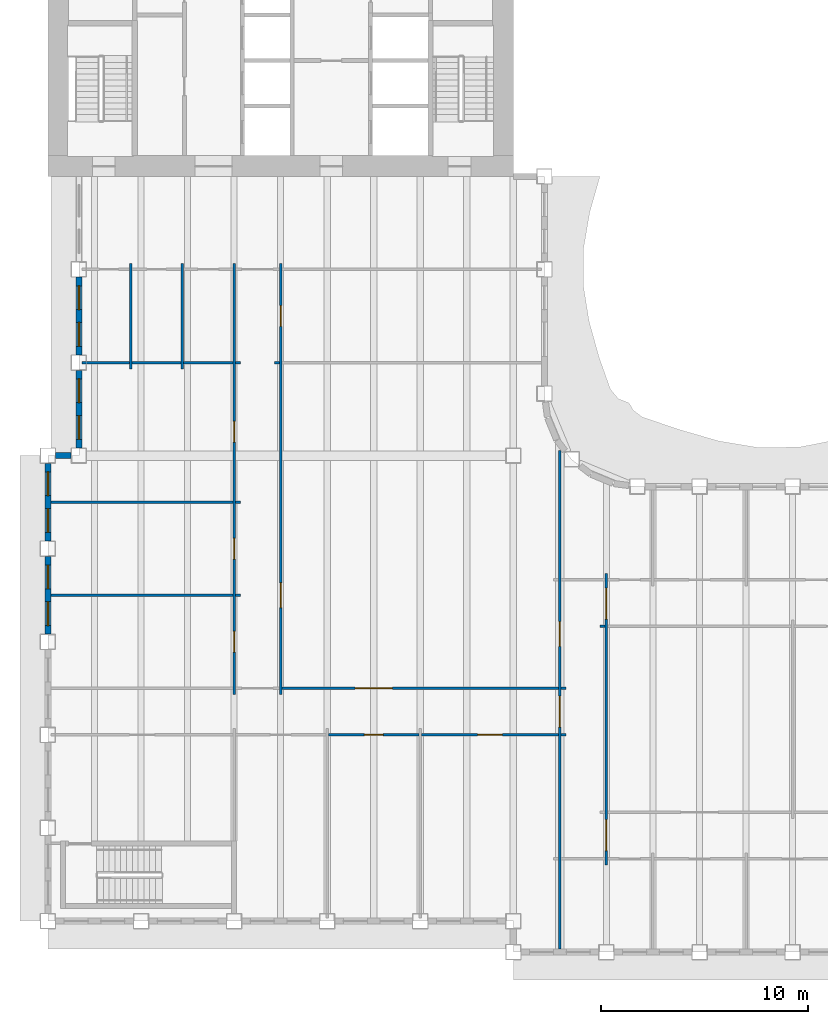
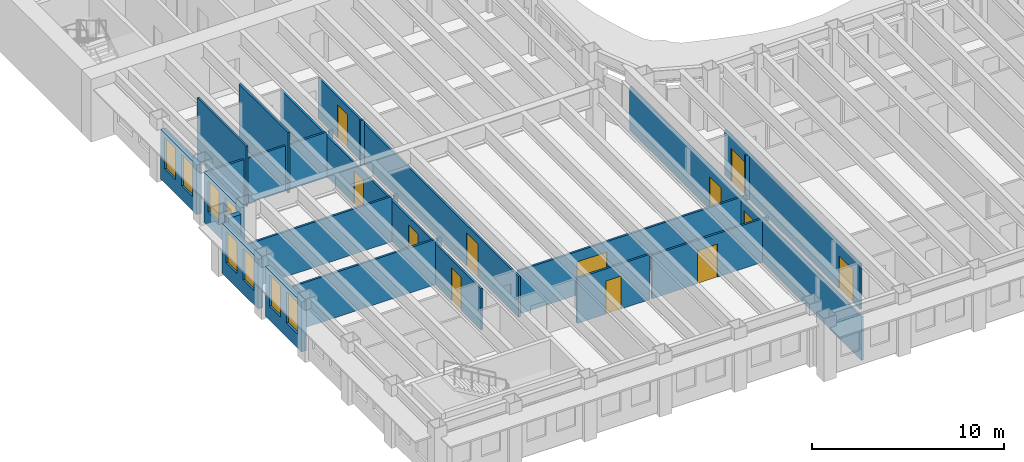
# One storey, part 4 of 17: 26 walls, 12 doors, 8 windows, 20 openings.
"""IFC4 building model written with IfcOpenShell, lengths in metres."""

from ifc_helpers import new_model, si_unit, direction, frame, frame_2d, origin, place, context, subcontext, project, spatial, rectangle, extrude, material, layer, layer_set, type_object, element, fill, save


model = new_model("IFC4")

# Units and contexts
model_context = context("Model", 3, precision=1e-05, world=origin(), true_north=direction((0.0, 1.0)))
body_context = subcontext(model_context, "Body", "Model", "MODEL_VIEW")
ifc_project = project(units=[si_unit("LENGTHUNIT", "METRE"), si_unit("AREAUNIT", "SQUARE_METRE"), si_unit("VOLUMEUNIT", "CUBIC_METRE"), si_unit("PLANEANGLEUNIT", "RADIAN"), si_unit("MASSUNIT", "GRAM", prefix="KILO")], contexts=[model_context])

# Site, building, storey
site_placement = place(None, origin())
site = spatial("IfcSite", under=ifc_project, at=site_placement, CompositionType="ELEMENT")
building_placement = place(site_placement, origin())
building = spatial("IfcBuilding", under=site, at=building_placement, Name="Sennacour Bend Tower", CompositionType="ELEMENT")
storey_placement = place(building_placement, frame((0.0, 0.0, 195.0)))
storey = spatial("IfcBuildingStorey", under=building, at=storey_placement, Name="L44", CompositionType="ELEMENT", Elevation=195.0)

# Walls
ifc_material_1 = material(Name="Plasterboard partition on steel studs", Category="steel")
ifc_layer_1 = layer(ifc_material_1, 0.1201171875, Name="Plasterboard partition on steel studs", Category="steel")
ifc_layer_set_1 = layer_set([ifc_layer_1], Name="Plasterboard partition on steel studs")
wall_type_1 = type_object("IfcWallType", Name="Partition 120", PredefinedType="PARTITIONING", material=ifc_layer_set_1)
for number, where, z_axis, x_axis, name in (
    (1, (4.0, 26.699951171875, 0.0), (0.0, 0.0, 1.0), (0.0, 1.0, 0.0), "P-L44-W004a"),
    (2, (6.5, 26.699951171875, 0.0), (0.0, 0.0, 1.0), (0.0, 1.0, 0.0), "P-L44-W007a"),
):
    element("IfcWall", number, at=place(storey_placement, frame(where, z_axis=z_axis, x_axis=x_axis)), inside=storey, type_object=wall_type_1, Name=name, PredefinedType="PARTITIONING", context=body_context, shape_type="SweptSolid", body=[
        extrude(rectangle(XDim=5.10009765625, YDim=0.1201171875, at=frame_2d((2.550048828125, 0.0))), origin(), (0.0, 0.0, 1.0), 3.85009765625),
    ])

# Wall, openings, doors
wall_1_placement = place(storey_placement, frame((9.0, 10.949951171875, 0.0), z_axis=(0.0, 0.0, 1.0), x_axis=(0.0, 1.0, 0.0)))
wall_1 = element("IfcWall", 3, at=wall_1_placement, inside=storey, type_object=wall_type_1, Name="P-L44-W012a", PredefinedType="PARTITIONING", context=body_context, shape_type="SweptSolid", body=[
    extrude(rectangle(XDim=20.85009765625, YDim=0.1201171875, at=frame_2d((10.425048828125, 0.0))), origin(), (0.0, 0.0, 1.0), 2.60009765625),
])
opening_1_placement = place(wall_1_placement, frame((2.050048828125, 0.0, 0.0)))
opening_1 = element("IfcOpeningElement", 4, at=opening_1_placement, cuts=wall_1, Name="Opening OD2", PredefinedType="OPENING", context=body_context, shape_type="SweptSolid", body=[
    extrude(rectangle(XDim=1.0, YDim=2.10009765625, at=frame_2d((0.5, 1.050048828125))), frame((0.0, 0.070068359375, 0.0), z_axis=(0.0, -1.0, 0.0), x_axis=(1.0, 0.0, 0.0)), (0.0, 0.0, 1.0), 0.14013671875),
])
opening_2_placement = place(wall_1_placement, frame((6.550048828125, 0.0, 0.0)))
opening_2 = element("IfcOpeningElement", 5, at=opening_2_placement, cuts=wall_1, Name="Opening OD2", PredefinedType="OPENING", context=body_context, shape_type="SweptSolid", body=[
    extrude(rectangle(XDim=1.0, YDim=2.10009765625, at=frame_2d((0.5, 1.050048828125))), frame((0.0, 0.070068359375, 0.0), z_axis=(0.0, -1.0, 0.0), x_axis=(1.0, 0.0, 0.0)), (0.0, 0.0, 1.0), 0.14013671875),
])
opening_3_placement = place(wall_1_placement, frame((12.205078125, 0.0, 0.0)))
opening_3 = element("IfcOpeningElement", 6, at=opening_3_placement, cuts=wall_1, Name="Opening OD2", PredefinedType="OPENING", context=body_context, shape_type="SweptSolid", body=[
    extrude(rectangle(XDim=1.0, YDim=2.10009765625, at=frame_2d((0.5, 1.050048828125))), frame((0.0, 0.070068359375, 0.0), z_axis=(0.0, -1.0, 0.0), x_axis=(1.0, 0.0, 0.0)), (0.0, 0.0, 1.0), 0.14013671875),
])
ifc_material_2 = material(Name="Timber", Category="wood")
door_type_1 = type_object("IfcDoorType", Name="DR-OFFICE-1000", OperationType="NOTDEFINED", PredefinedType="DOOR", material=ifc_material_2)
door_1_placement = place(opening_1_placement, origin())
door_1 = element("IfcDoor", 7, at=door_1_placement, inside=storey, type_object=door_type_1, Name="Door", OperationType="SINGLE_SWING_LEFT", OverallHeight=2.10009765625, OverallWidth=1.0, PredefinedType="DOOR", context=body_context, shape_type="SweptSolid", body=[
    extrude(rectangle(XDim=1.0, YDim=2.10009765625, at=frame_2d((0.5, 1.050048828125))), frame((0.0, 0.02490234375, 0.0), z_axis=(0.0, -1.0, 0.0), x_axis=(1.0, 0.0, 0.0)), (0.0, 0.0, 1.0), 0.050048828125),
])
fill(opening_1, door_1)
door_2_placement = place(opening_2_placement, origin())
door_2 = element("IfcDoor", 8, at=door_2_placement, inside=storey, type_object=door_type_1, Name="Door", OperationType="SINGLE_SWING_LEFT", OverallHeight=2.10009765625, OverallWidth=1.0, PredefinedType="DOOR", context=body_context, shape_type="SweptSolid", body=[
    extrude(rectangle(XDim=1.0, YDim=2.10009765625, at=frame_2d((0.5, 1.050048828125))), frame((0.0, 0.02490234375, 0.0), z_axis=(0.0, -1.0, 0.0), x_axis=(1.0, 0.0, 0.0)), (0.0, 0.0, 1.0), 0.050048828125),
])
fill(opening_2, door_2)
door_3_placement = place(opening_3_placement, origin())
door_3 = element("IfcDoor", 9, at=door_3_placement, inside=storey, type_object=door_type_1, Name="Door", OperationType="SINGLE_SWING_RIGHT", OverallHeight=2.10009765625, OverallWidth=1.0, PredefinedType="DOOR", context=body_context, shape_type="SweptSolid", body=[
    extrude(rectangle(XDim=1.0, YDim=2.10009765625, at=frame_2d((0.5, 1.050048828125))), frame((0.0, 0.02490234375, 0.0), z_axis=(0.0, -1.0, 0.0), x_axis=(1.0, 0.0, 0.0)), (0.0, 0.0, 1.0), 0.050048828125),
])
fill(opening_3, door_3)

wall_2_placement = place(storey_placement, frame((11.25, 10.949951171875, 0.0), z_axis=(0.0, 0.0, 1.0), x_axis=(0.0, 1.0, 0.0)))
wall_2 = element("IfcWall", 10, at=wall_2_placement, inside=storey, type_object=wall_type_1, Name="P-L44-W014a", PredefinedType="PARTITIONING", context=body_context, shape_type="SweptSolid", body=[
    extrude(rectangle(XDim=20.85009765625, YDim=0.1201171875, at=frame_2d((10.425048828125, 0.0))), origin(), (0.0, 0.0, 1.0), 2.60009765625),
])
opening_4_placement = place(wall_2_placement, frame((17.800048828125, 0.0, 0.0)))
opening_4 = element("IfcOpeningElement", 11, at=opening_4_placement, cuts=wall_2, Name="Opening OD2", PredefinedType="OPENING", context=body_context, shape_type="SweptSolid", body=[
    extrude(rectangle(XDim=1.0, YDim=2.10009765625, at=frame_2d((0.5, 1.050048828125))), frame((0.0, 0.070068359375, 0.0), z_axis=(0.0, -1.0, 0.0), x_axis=(1.0, 0.0, 0.0)), (0.0, 0.0, 1.0), 0.14013671875),
])
opening_5_placement = place(wall_2_placement, frame((4.199951171875, 0.0, 0.0)))
opening_5 = element("IfcOpeningElement", 12, at=opening_5_placement, cuts=wall_2, Name="Opening OD", PredefinedType="OPENING", context=body_context, shape_type="SweptSolid", body=[
    extrude(rectangle(XDim=1.199951171875, YDim=2.10009765625, at=frame_2d((0.60009765625, 1.050048828125))), frame((0.0, 0.070068359375, 0.0), z_axis=(0.0, -1.0, 0.0), x_axis=(1.0, 0.0, 0.0)), (0.0, 0.0, 1.0), 0.14013671875),
])
door_4_placement = place(opening_4_placement, origin())
door_4 = element("IfcDoor", 13, at=door_4_placement, inside=storey, type_object=door_type_1, Name="Door", OperationType="SINGLE_SWING_RIGHT", OverallHeight=2.10009765625, OverallWidth=1.0, PredefinedType="DOOR", context=body_context, shape_type="SweptSolid", body=[
    extrude(rectangle(XDim=1.0, YDim=2.10009765625, at=frame_2d((0.5, 1.050048828125))), frame((0.0, 0.02490234375, 0.0), z_axis=(0.0, -1.0, 0.0), x_axis=(1.0, 0.0, 0.0)), (0.0, 0.0, 1.0), 0.050048828125),
])
fill(opening_4, door_4)
door_type_2 = type_object("IfcDoorType", Name="DR-OFFICE-1200", OperationType="NOTDEFINED", PredefinedType="DOOR", material=ifc_material_2)
door_5_placement = place(opening_5_placement, origin())
door_5 = element("IfcDoor", 14, at=door_5_placement, inside=storey, type_object=door_type_2, Name="Door", OperationType="SINGLE_SWING_LEFT", OverallHeight=2.10009765625, OverallWidth=1.199951171875, PredefinedType="DOOR", context=body_context, shape_type="SweptSolid", body=[
    extrude(rectangle(XDim=1.199951171875, YDim=2.10009765625, at=frame_2d((0.60009765625, 1.050048828125))), frame((0.0, 0.02490234375, 0.0), z_axis=(0.0, -1.0, 0.0), x_axis=(1.0, 0.0, 0.0)), (0.0, 0.0, 1.0), 0.050048828125),
])
fill(opening_5, door_5)

# Wall, opening, door
wall_3_placement = place(storey_placement, frame((18.06005859375, 9.0, 0.0), z_axis=(0.0, 0.0, 1.0), x_axis=(1.0, 0.0, 0.0)))
wall_3 = element("IfcWall", 15, at=wall_3_placement, inside=storey, type_object=wall_type_1, Name="P-L44-W061ad", PredefinedType="PARTITIONING", context=body_context, shape_type="SweptSolid", body=[
    extrude(rectangle(XDim=6.6298828125, YDim=0.1201171875, at=frame_2d((3.31494140625, 0.0))), origin(), (0.0, 0.0, 1.0), 2.760009765625),
])
opening_6_placement = place(wall_3_placement, frame((2.71484375, 0.0, 0.0)))
opening_6 = element("IfcOpeningElement", 16, at=opening_6_placement, cuts=wall_3, Name="Opening OD", PredefinedType="OPENING", context=body_context, shape_type="SweptSolid", body=[
    extrude(rectangle(XDim=1.199951171875, YDim=2.10009765625, at=frame_2d((0.60009765625, 1.050048828125))), frame((0.0, 0.070068359375, 0.0), z_axis=(0.0, -1.0, 0.0), x_axis=(1.0, 0.0, 0.0)), (0.0, 0.0, 1.0), 0.14013671875),
])
door_6_placement = place(opening_6_placement, origin())
door_6 = element("IfcDoor", 17, at=door_6_placement, inside=storey, type_object=door_type_2, Name="Door", OperationType="SINGLE_SWING_LEFT", OverallHeight=2.10009765625, OverallWidth=1.199951171875, PredefinedType="DOOR", context=body_context, shape_type="SweptSolid", body=[
    extrude(rectangle(XDim=1.199951171875, YDim=2.10009765625, at=frame_2d((0.60009765625, 1.050048828125))), frame((0.0, 0.02490234375, 0.0), z_axis=(0.0, -1.0, 0.0), x_axis=(1.0, 0.0, 0.0)), (0.0, 0.0, 1.0), 0.050048828125),
])
fill(opening_6, door_6)

# Wall
wall_4_placement = place(storey_placement, frame((24.81005859375, 9.0, 0.0), z_axis=(0.0, 0.0, 1.0), x_axis=(1.0, 0.0, 0.0)))
element("IfcWall", 18, at=wall_4_placement, inside=storey, type_object=wall_type_1, Name="P-L44-W061ae", PredefinedType="PARTITIONING", context=body_context, shape_type="SweptSolid", body=[
    extrude(rectangle(XDim=0.239990234375, YDim=0.1201171875, at=frame_2d((0.1201171875, 0.0))), origin(), (0.0, 0.0, 1.0), 2.760009765625),
])

# Wall, opening, door
wall_5_placement = place(storey_placement, frame((11.31005859375, 11.25, 0.0), z_axis=(0.0, 0.0, 1.0), x_axis=(1.0, 0.0, 0.0)))
wall_5 = element("IfcWall", 19, at=wall_5_placement, inside=storey, type_object=wall_type_1, Name="P-L44-W063ac", PredefinedType="PARTITIONING", context=body_context, shape_type="SweptSolid", body=[
    extrude(rectangle(XDim=13.3798828125, YDim=0.1201171875, at=frame_2d((6.68994140625, 0.0))), origin(), (0.0, 0.0, 1.0), 2.760009765625),
])
opening_7_placement = place(wall_5_placement, frame((3.539794921875, 0.0, 0.0)))
opening_7 = element("IfcOpeningElement", 20, at=opening_7_placement, cuts=wall_5, Name="Opening OD3", PredefinedType="OPENING", context=body_context, shape_type="SweptSolid", body=[
    extrude(rectangle(XDim=1.800048828125, YDim=2.10009765625, at=frame_2d((0.89990234375, 1.050048828125))), frame((0.0, 0.070068359375, 0.0), z_axis=(0.0, -1.0, 0.0), x_axis=(1.0, 0.0, 0.0)), (0.0, 0.0, 1.0), 0.14013671875),
])
door_type_3 = type_object("IfcDoorType", Name="DR-OFFICE-1800", OperationType="NOTDEFINED", PredefinedType="DOOR", material=ifc_material_2)
door_7_placement = place(opening_7_placement, origin())
door_7 = element("IfcDoor", 21, at=door_7_placement, inside=storey, type_object=door_type_3, Name="Door", OperationType="DOUBLE_DOOR_SINGLE_SWING", OverallHeight=2.10009765625, OverallWidth=1.800048828125, PredefinedType="DOOR", context=body_context, shape_type="SweptSolid", body=[
    extrude(rectangle(XDim=1.800048828125, YDim=2.10009765625, at=frame_2d((0.89990234375, 1.050048828125))), frame((0.0, 0.02490234375, 0.0), z_axis=(0.0, -1.0, 0.0), x_axis=(1.0, 0.0, 0.0)), (0.0, 0.0, 1.0), 0.050048828125),
])
fill(opening_7, door_7)

# Walls
wall_6_placement = place(storey_placement, frame((24.81005859375, 11.25, 0.0), z_axis=(0.0, 0.0, 1.0), x_axis=(1.0, 0.0, 0.0)))
element("IfcWall", 22, at=wall_6_placement, inside=storey, type_object=wall_type_1, Name="P-L44-W063ad", PredefinedType="PARTITIONING", context=body_context, shape_type="SweptSolid", body=[
    extrude(rectangle(XDim=0.239990234375, YDim=0.1201171875, at=frame_2d((0.1201171875, 0.0))), origin(), (0.0, 0.0, 1.0), 2.760009765625),
])
wall_7_placement = place(storey_placement, frame((26.699951171875, 14.25, 0.0), z_axis=(0.0, 0.0, 1.0), x_axis=(1.0, 0.0, 0.0)))
element("IfcWall", 23, at=wall_7_placement, inside=storey, type_object=wall_type_1, Name="P-L44-W066aa", PredefinedType="PARTITIONING", context=body_context, shape_type="SweptSolid", body=[
    extrude(rectangle(XDim=0.239990234375, YDim=0.1201171875, at=frame_2d((0.1201171875, 0.0))), origin(), (0.0, 0.0, 1.0), 2.8701171875),
])
wall_8_placement = place(storey_placement, frame((0.14990234375, 15.75, 0.0), z_axis=(0.0, 0.0, 1.0), x_axis=(1.0, 0.0, 0.0)))
element("IfcWall", 24, at=wall_8_placement, inside=storey, type_object=wall_type_1, Name="P-L44-W069aa", PredefinedType="PARTITIONING", context=body_context, shape_type="SweptSolid", body=[
    extrude(rectangle(XDim=8.7900390625, YDim=0.1201171875, at=frame_2d((4.39501953125, 0.0))), origin(), (0.0, 0.0, 1.0), 2.8701171875),
])
wall_9_placement = place(storey_placement, frame((9.06005859375, 15.75, 0.0), z_axis=(0.0, 0.0, 1.0), x_axis=(1.0, 0.0, 0.0)))
element("IfcWall", 25, at=wall_9_placement, inside=storey, type_object=wall_type_1, Name="P-L44-W069ab", PredefinedType="PARTITIONING", context=body_context, shape_type="SweptSolid", body=[
    extrude(rectangle(XDim=0.239990234375, YDim=0.1201171875, at=frame_2d((0.1201171875, 0.0))), origin(), (0.0, 0.0, 1.0), 2.8701171875),
])
wall_10_placement = place(storey_placement, frame((0.14990234375, 20.25, 0.0), z_axis=(0.0, 0.0, 1.0), x_axis=(1.0, 0.0, 0.0)))
element("IfcWall", 26, at=wall_10_placement, inside=storey, type_object=wall_type_1, Name="P-L44-W074aa", PredefinedType="PARTITIONING", context=body_context, shape_type="SweptSolid", body=[
    extrude(rectangle(XDim=8.7900390625, YDim=0.1201171875, at=frame_2d((4.39501953125, 0.0))), origin(), (0.0, 0.0, 1.0), 2.8701171875),
])
wall_11_placement = place(storey_placement, frame((9.06005859375, 20.25, 0.0), z_axis=(0.0, 0.0, 1.0), x_axis=(1.0, 0.0, 0.0)))
element("IfcWall", 27, at=wall_11_placement, inside=storey, type_object=wall_type_1, Name="P-L44-W074ab", PredefinedType="PARTITIONING", context=body_context, shape_type="SweptSolid", body=[
    extrude(rectangle(XDim=0.239990234375, YDim=0.1201171875, at=frame_2d((0.1201171875, 0.0))), origin(), (0.0, 0.0, 1.0), 2.8701171875),
])
wall_12_placement = place(storey_placement, frame((1.64990234375, 27.0, 0.0), z_axis=(0.0, 0.0, 1.0), x_axis=(1.0, 0.0, 0.0)))
element("IfcWall", 28, at=wall_12_placement, inside=storey, type_object=wall_type_1, Name="P-L44-W077aa", PredefinedType="PARTITIONING", context=body_context, shape_type="SweptSolid", body=[
    extrude(rectangle(XDim=2.2900390625, YDim=0.1201171875, at=frame_2d((1.14501953125, 0.0))), origin(), (0.0, 0.0, 1.0), 2.8701171875),
])
for number, where, z_axis, x_axis, name in (
    (29, (4.06005859375, 27.0, 0.0), (0.0, 0.0, 1.0), (1.0, 0.0, 0.0), "P-L44-W077ab"),
    (30, (6.56005859375, 27.0, 0.0), (0.0, 0.0, 1.0), (1.0, 0.0, 0.0), "P-L44-W077ac"),
):
    element("IfcWall", number, at=place(storey_placement, frame(where, z_axis=z_axis, x_axis=x_axis)), inside=storey, type_object=wall_type_1, Name=name, PredefinedType="PARTITIONING", context=body_context, shape_type="SweptSolid", body=[
        extrude(rectangle(XDim=2.3798828125, YDim=0.1201171875, at=frame_2d((1.18994140625, 0.0))), origin(), (0.0, 0.0, 1.0), 2.8701171875),
    ])
for number, where, z_axis, x_axis, name in (
    (31, (9.06005859375, 27.0, 0.0), (0.0, 0.0, 1.0), (1.0, 0.0, 0.0), "P-L44-W077ad"),
    (32, (10.949951171875, 27.0, 0.0), (0.0, 0.0, 1.0), (1.0, 0.0, 0.0), "P-L44-W078aa"),
):
    element("IfcWall", number, at=place(storey_placement, frame(where, z_axis=z_axis, x_axis=x_axis)), inside=storey, type_object=wall_type_1, Name=name, PredefinedType="PARTITIONING", context=body_context, shape_type="SweptSolid", body=[
        extrude(rectangle(XDim=0.239990234375, YDim=0.1201171875, at=frame_2d((0.1201171875, 0.0))), origin(), (0.0, 0.0, 1.0), 2.8701171875),
    ])

# Wall, openings, doors
ifc_layer_2 = layer(ifc_material_1, 0.1201171875, Name="Plasterboard partition on steel studs", Category="steel")
ifc_layer_set_2 = layer_set([ifc_layer_2], Name="Plasterboard partition on steel studs")
wall_type_2 = type_object("IfcWallType", Name="Partition 120 EI 30", PredefinedType="PARTITIONING", material=ifc_layer_set_2)
wall_13_placement = place(storey_placement, frame((24.75, -1.35009765625, 0.0), z_axis=(0.0, 0.0, 1.0), x_axis=(0.0, 1.0, 0.0)))
wall_13 = element("IfcWall", 33, at=wall_13_placement, inside=storey, type_object=wall_type_2, Name="P-L44-W024a", PredefinedType="PARTITIONING", context=body_context, shape_type="SweptSolid", body=[
    extrude(rectangle(XDim=24.1005859375, YDim=0.1201171875, at=frame_2d((12.05029296875, 0.0))), origin(), (0.0, 0.0, 1.0), 2.760009765625),
])
opening_8_placement = place(wall_13_placement, frame((10.72509765625, 0.0, 0.0)))
opening_8 = element("IfcOpeningElement", 34, at=opening_8_placement, cuts=wall_13, Name="Opening KD", PredefinedType="OPENING", context=body_context, shape_type="SweptSolid", body=[
    extrude(rectangle(XDim=1.5, YDim=2.10009765625, at=frame_2d((0.75, 1.050048828125))), frame((0.0, 0.070068359375, 0.0), z_axis=(0.0, -1.0, 0.0), x_axis=(1.0, 0.0, 0.0)), (0.0, 0.0, 1.0), 0.14013671875),
])
opening_9_placement = place(wall_13_placement, frame((14.625, 0.0, 0.0)))
opening_9 = element("IfcOpeningElement", 35, at=opening_9_placement, cuts=wall_13, Name="Opening OD", PredefinedType="OPENING", context=body_context, shape_type="SweptSolid", body=[
    extrude(rectangle(XDim=1.199951171875, YDim=2.10009765625, at=frame_2d((0.60009765625, 1.050048828125))), frame((0.0, 0.070068359375, 0.0), z_axis=(0.0, -1.0, 0.0), x_axis=(1.0, 0.0, 0.0)), (0.0, 0.0, 1.0), 0.14013671875),
])
ifc_material_3 = material(Name="Painted steel", Category="steel")
door_type_4 = type_object("IfcDoorType", Name="DR-CORRIDOR-1500", OperationType="NOTDEFINED", PredefinedType="DOOR", material=ifc_material_3)
door_8_placement = place(opening_8_placement, origin())
door_8 = element("IfcDoor", 36, at=door_8_placement, inside=storey, type_object=door_type_4, Name="Door", OperationType="SINGLE_SWING_LEFT", OverallHeight=2.10009765625, OverallWidth=1.5, PredefinedType="DOOR", context=body_context, shape_type="SweptSolid", body=[
    extrude(rectangle(XDim=1.5, YDim=2.10009765625, at=frame_2d((0.75, 1.050048828125))), frame((0.0, 0.02490234375, 0.0), z_axis=(0.0, -1.0, 0.0), x_axis=(1.0, 0.0, 0.0)), (0.0, 0.0, 1.0), 0.050048828125),
])
fill(opening_8, door_8)
door_9_placement = place(opening_9_placement, origin())
door_9 = element("IfcDoor", 37, at=door_9_placement, inside=storey, type_object=door_type_2, Name="Door", OperationType="SINGLE_SWING_RIGHT", OverallHeight=2.10009765625, OverallWidth=1.199951171875, PredefinedType="DOOR", context=body_context, shape_type="SweptSolid", body=[
    extrude(rectangle(XDim=1.199951171875, YDim=2.10009765625, at=frame_2d((0.60009765625, 1.050048828125))), frame((0.0, 0.02490234375, 0.0), z_axis=(0.0, -1.0, 0.0), x_axis=(1.0, 0.0, 0.0)), (0.0, 0.0, 1.0), 0.050048828125),
])
fill(opening_9, door_9)

wall_14_placement = place(storey_placement, frame((27.0, 2.699951171875, 0.0), z_axis=(0.0, 0.0, 1.0), x_axis=(0.0, 1.0, 0.0)))
wall_14 = element("IfcWall", 38, at=wall_14_placement, inside=storey, type_object=wall_type_2, Name="P-L44-W025a", PredefinedType="PARTITIONING", context=body_context, shape_type="SweptSolid", body=[
    extrude(rectangle(XDim=14.10009765625, YDim=0.1201171875, at=frame_2d((7.050048828125, 0.0))), origin(), (0.0, 0.0, 1.0), 2.8701171875),
])
opening_10_placement = place(wall_14_placement, frame((0.705078125, 0.0, 0.0)))
opening_10 = element("IfcOpeningElement", 39, at=opening_10_placement, cuts=wall_14, Name="Opening KD", PredefinedType="OPENING", context=body_context, shape_type="SweptSolid", body=[
    extrude(rectangle(XDim=1.5, YDim=2.10009765625, at=frame_2d((0.75, 1.050048828125))), frame((0.0, 0.070068359375, 0.0), z_axis=(0.0, -1.0, 0.0), x_axis=(1.0, 0.0, 0.0)), (0.0, 0.0, 1.0), 0.14013671875),
])
opening_11_placement = place(wall_14_placement, frame((11.89501953125, 0.0, 0.0)))
opening_11 = element("IfcOpeningElement", 40, at=opening_11_placement, cuts=wall_14, Name="Opening KD", PredefinedType="OPENING", context=body_context, shape_type="SweptSolid", body=[
    extrude(rectangle(XDim=1.5, YDim=2.10009765625, at=frame_2d((0.75, 1.050048828125))), frame((0.0, 0.070068359375, 0.0), z_axis=(0.0, -1.0, 0.0), x_axis=(1.0, 0.0, 0.0)), (0.0, 0.0, 1.0), 0.14013671875),
])
door_10_placement = place(opening_10_placement, origin())
door_10 = element("IfcDoor", 41, at=door_10_placement, inside=storey, type_object=door_type_4, Name="Door", OperationType="SINGLE_SWING_LEFT", OverallHeight=2.10009765625, OverallWidth=1.5, PredefinedType="DOOR", context=body_context, shape_type="SweptSolid", body=[
    extrude(rectangle(XDim=1.5, YDim=2.10009765625, at=frame_2d((0.75, 1.050048828125))), frame((0.0, 0.02490234375, 0.0), z_axis=(0.0, -1.0, 0.0), x_axis=(1.0, 0.0, 0.0)), (0.0, 0.0, 1.0), 0.050048828125),
])
fill(opening_10, door_10)
door_11_placement = place(opening_11_placement, origin())
door_11 = element("IfcDoor", 42, at=door_11_placement, inside=storey, type_object=door_type_4, Name="Door", OperationType="SINGLE_SWING_RIGHT", OverallHeight=2.10009765625, OverallWidth=1.5, PredefinedType="DOOR", context=body_context, shape_type="SweptSolid", body=[
    extrude(rectangle(XDim=1.5, YDim=2.10009765625, at=frame_2d((0.75, 1.050048828125))), frame((0.0, 0.02490234375, 0.0), z_axis=(0.0, -1.0, 0.0), x_axis=(1.0, 0.0, 0.0)), (0.0, 0.0, 1.0), 0.050048828125),
])
fill(opening_11, door_11)

# Wall, opening, door
ifc_layer_3 = layer(ifc_material_1, 0.1201171875, Name="Plasterboard partition on steel studs", Category="steel")
ifc_layer_set_3 = layer_set([ifc_layer_3], Name="Plasterboard partition on steel studs")
wall_type_3 = type_object("IfcWallType", Name="Partition 120 EI 60", PredefinedType="PARTITIONING", material=ifc_layer_set_3)
wall_15_placement = place(storey_placement, frame((13.56005859375, 9.0, 0.0), z_axis=(0.0, 0.0, 1.0), x_axis=(1.0, 0.0, 0.0)))
wall_15 = element("IfcWall", 43, at=wall_15_placement, inside=storey, type_object=wall_type_3, Name="P-L44-W061ac", PredefinedType="PARTITIONING", context=body_context, shape_type="SweptSolid", body=[
    extrude(rectangle(XDim=4.3798828125, YDim=0.1201171875, at=frame_2d((2.18994140625, 0.0))), origin(), (0.0, 0.0, 1.0), 2.8701171875),
])
opening_12_placement = place(wall_15_placement, frame((1.739990234375, 0.0, 0.0)))
opening_12 = element("IfcOpeningElement", 44, at=opening_12_placement, cuts=wall_15, Name="Opening SV", PredefinedType="OPENING", context=body_context, shape_type="SweptSolid", body=[
    extrude(rectangle(XDim=0.89990234375, YDim=2.10009765625, at=frame_2d((0.449951171875, 1.050048828125))), frame((0.0, 0.070068359375, 0.0), z_axis=(0.0, -1.0, 0.0), x_axis=(1.0, 0.0, 0.0)), (0.0, 0.0, 1.0), 0.14013671875),
])
door_type_5 = type_object("IfcDoorType", Name="DR-SERVICE-900", OperationType="NOTDEFINED", PredefinedType="DOOR", material=ifc_material_3)
door_12_placement = place(opening_12_placement, origin())
door_12 = element("IfcDoor", 45, at=door_12_placement, inside=storey, type_object=door_type_5, Name="Door", OperationType="SINGLE_SWING_LEFT", OverallHeight=2.10009765625, OverallWidth=0.89990234375, PredefinedType="DOOR", context=body_context, shape_type="SweptSolid", body=[
    extrude(rectangle(XDim=0.89990234375, YDim=2.10009765625, at=frame_2d((0.449951171875, 1.050048828125))), frame((0.0, 0.02490234375, 0.0), z_axis=(0.0, -1.0, 0.0), x_axis=(1.0, 0.0, 0.0)), (0.0, 0.0, 1.0), 0.050048828125),
])
fill(opening_12, door_12)

# Wall, openings, windows
ifc_material_4 = material(Name="Warm limestone cladding", Category="masonry")
ifc_layer_4 = layer(ifc_material_4, 0.050048828125, Name="Warm limestone cladding", Category="masonry")
ifc_material_5 = material(Name="Precast concrete C40/50", Category="concrete")
ifc_layer_5 = layer(ifc_material_5, 0.25, Name="Precast concrete C40/50", Category="concrete")
ifc_layer_set_4 = layer_set([ifc_layer_4, ifc_layer_5], Name="Precast concrete C40/50 with limestone cladding")
wall_type_4 = type_object("IfcWallType", Name="STONE-CLAD PRECAST SPANDREL 300", PredefinedType="STANDARD", material=ifc_layer_set_4)
wall_16_placement = place(storey_placement, frame((1.5, 31.125, 0.0), z_axis=(0.0, 0.0, 1.0), x_axis=(0.0, -1.0, 0.0)))
wall_16 = element("IfcWall", 46, at=wall_16_placement, inside=storey, type_object=wall_type_4, Name="Stone spandrel and pier wall L44 19.01", PredefinedType="STANDARD", context=body_context, shape_type="SweptSolid", body=[
    extrude(rectangle(XDim=3.75, YDim=0.300048828125, at=frame_2d((1.875, 0.0))), origin(), (0.0, 0.0, 1.0), 3.156982421875),
])
opening_13_placement = place(wall_16_placement, frame((0.41259765625, 0.0, 0.89990234375)))
opening_13 = element("IfcOpeningElement", 47, at=opening_13_placement, cuts=wall_16, Name="Opening W24", PredefinedType="OPENING", context=body_context, shape_type="SweptSolid", body=[
    extrude(rectangle(XDim=1.14990234375, YDim=2.0, at=frame_2d((0.574951171875, 1.0))), frame((0.0, 0.16015625, 0.0), z_axis=(0.0, -1.0, 0.0), x_axis=(1.0, 0.0, 0.0)), (0.0, 0.0, 1.0), 0.320068359375),
])
opening_14_placement = place(wall_16_placement, frame((2.1875, 0.0, 0.89990234375)))
opening_14 = element("IfcOpeningElement", 48, at=opening_14_placement, cuts=wall_16, Name="Opening W24", PredefinedType="OPENING", context=body_context, shape_type="SweptSolid", body=[
    extrude(rectangle(XDim=1.14990234375, YDim=2.0, at=frame_2d((0.574951171875, 1.0))), frame((0.0, 0.16015625, 0.0), z_axis=(0.0, -1.0, 0.0), x_axis=(1.0, 0.0, 0.0)), (0.0, 0.0, 1.0), 0.320068359375),
])
ifc_material_6 = material(Name="Clear low-emissivity glass", Category="glass")
window_type = type_object("IfcWindowType", Name="WIN-RIBBON-1150x2000", PartitioningType="SINGLE_PANEL", PredefinedType="WINDOW", material=ifc_material_6)
window_1_placement = place(opening_13_placement, origin())
window_1 = element("IfcWindow", 49, at=window_1_placement, inside=storey, type_object=window_type, Name="Ribbon window L44 19.01.0", OverallHeight=2.0, OverallWidth=1.14990234375, PartitioningType="SINGLE_PANEL", PredefinedType="WINDOW", context=body_context, shape_type="SweptSolid", body=[
    extrude(rectangle(XDim=1.14990234375, YDim=2.0, at=frame_2d((0.574951171875, 1.0))), frame((0.0, 0.030029296875, 0.0), z_axis=(0.0, -1.0, 0.0), x_axis=(1.0, 0.0, 0.0)), (0.0, 0.0, 1.0), 0.06005859375),
])
fill(opening_13, window_1)
window_2_placement = place(opening_14_placement, origin())
window_2 = element("IfcWindow", 50, at=window_2_placement, inside=storey, type_object=window_type, Name="Ribbon window L44 19.01.1", OverallHeight=2.0, OverallWidth=1.14990234375, PartitioningType="SINGLE_PANEL", PredefinedType="WINDOW", context=body_context, shape_type="SweptSolid", body=[
    extrude(rectangle(XDim=1.14990234375, YDim=2.0, at=frame_2d((0.574951171875, 1.0))), frame((0.0, 0.030029296875, 0.0), z_axis=(0.0, -1.0, 0.0), x_axis=(1.0, 0.0, 0.0)), (0.0, 0.0, 1.0), 0.06005859375),
])
fill(opening_14, window_2)

wall_17_placement = place(storey_placement, frame((1.5, 26.625, 0.0), z_axis=(0.0, 0.0, 1.0), x_axis=(0.0, -1.0, 0.0)))
wall_17 = element("IfcWall", 51, at=wall_17_placement, inside=storey, type_object=wall_type_4, Name="Stone spandrel and pier wall L44 19.02", PredefinedType="STANDARD", context=body_context, shape_type="SweptSolid", body=[
    extrude(rectangle(XDim=3.75, YDim=0.300048828125, at=frame_2d((1.875, 0.0))), origin(), (0.0, 0.0, 1.0), 3.156982421875),
])
opening_15_placement = place(wall_17_placement, frame((0.41259765625, 0.0, 0.89990234375)))
opening_15 = element("IfcOpeningElement", 52, at=opening_15_placement, cuts=wall_17, Name="Opening W24", PredefinedType="OPENING", context=body_context, shape_type="SweptSolid", body=[
    extrude(rectangle(XDim=1.14990234375, YDim=2.0, at=frame_2d((0.574951171875, 1.0))), frame((0.0, 0.16015625, 0.0), z_axis=(0.0, -1.0, 0.0), x_axis=(1.0, 0.0, 0.0)), (0.0, 0.0, 1.0), 0.320068359375),
])
opening_16_placement = place(wall_17_placement, frame((2.1875, 0.0, 0.89990234375)))
opening_16 = element("IfcOpeningElement", 53, at=opening_16_placement, cuts=wall_17, Name="Opening W24", PredefinedType="OPENING", context=body_context, shape_type="SweptSolid", body=[
    extrude(rectangle(XDim=1.14990234375, YDim=2.0, at=frame_2d((0.574951171875, 1.0))), frame((0.0, 0.16015625, 0.0), z_axis=(0.0, -1.0, 0.0), x_axis=(1.0, 0.0, 0.0)), (0.0, 0.0, 1.0), 0.320068359375),
])
window_3_placement = place(opening_15_placement, origin())
window_3 = element("IfcWindow", 54, at=window_3_placement, inside=storey, type_object=window_type, Name="Ribbon window L44 19.02.0", OverallHeight=2.0, OverallWidth=1.14990234375, PartitioningType="SINGLE_PANEL", PredefinedType="WINDOW", context=body_context, shape_type="SweptSolid", body=[
    extrude(rectangle(XDim=1.14990234375, YDim=2.0, at=frame_2d((0.574951171875, 1.0))), frame((0.0, 0.030029296875, 0.0), z_axis=(0.0, -1.0, 0.0), x_axis=(1.0, 0.0, 0.0)), (0.0, 0.0, 1.0), 0.06005859375),
])
fill(opening_15, window_3)
window_4_placement = place(opening_16_placement, origin())
window_4 = element("IfcWindow", 55, at=window_4_placement, inside=storey, type_object=window_type, Name="Ribbon window L44 19.02.1", OverallHeight=2.0, OverallWidth=1.14990234375, PartitioningType="SINGLE_PANEL", PredefinedType="WINDOW", context=body_context, shape_type="SweptSolid", body=[
    extrude(rectangle(XDim=1.14990234375, YDim=2.0, at=frame_2d((0.574951171875, 1.0))), frame((0.0, 0.030029296875, 0.0), z_axis=(0.0, -1.0, 0.0), x_axis=(1.0, 0.0, 0.0)), (0.0, 0.0, 1.0), 0.06005859375),
])
fill(opening_16, window_4)

# Wall
wall_18_placement = place(storey_placement, frame((1.125, 22.5, 0.0), z_axis=(0.0, 0.0, 1.0), x_axis=(-1.0, 0.0, 0.0)))
element("IfcWall", 56, at=wall_18_placement, inside=storey, type_object=wall_type_4, Name="Stone spandrel and pier wall L44 20.00", PredefinedType="STANDARD", context=body_context, shape_type="SweptSolid", body=[
    extrude(rectangle(XDim=0.75, YDim=0.300048828125, at=frame_2d((0.375, 0.0))), origin(), (0.0, 0.0, 1.0), 3.156982421875),
])

# Wall, openings, windows
wall_19_placement = place(storey_placement, frame((0.0, 22.125, 0.0), z_axis=(0.0, 0.0, 1.0), x_axis=(0.0, -1.0, 0.0)))
wall_19 = element("IfcWall", 57, at=wall_19_placement, inside=storey, type_object=wall_type_4, Name="Stone spandrel and pier wall L44 21.00", PredefinedType="STANDARD", context=body_context, shape_type="SweptSolid", body=[
    extrude(rectangle(XDim=3.75, YDim=0.300048828125, at=frame_2d((1.875, 0.0))), origin(), (0.0, 0.0, 1.0), 3.156982421875),
])
opening_17_placement = place(wall_19_placement, frame((0.41259765625, 0.0, 0.89990234375)))
opening_17 = element("IfcOpeningElement", 58, at=opening_17_placement, cuts=wall_19, Name="Opening W24", PredefinedType="OPENING", context=body_context, shape_type="SweptSolid", body=[
    extrude(rectangle(XDim=1.14990234375, YDim=2.0, at=frame_2d((0.574951171875, 1.0))), frame((0.0, 0.16015625, 0.0), z_axis=(0.0, -1.0, 0.0), x_axis=(1.0, 0.0, 0.0)), (0.0, 0.0, 1.0), 0.320068359375),
])
opening_18_placement = place(wall_19_placement, frame((2.1875, 0.0, 0.89990234375)))
opening_18 = element("IfcOpeningElement", 59, at=opening_18_placement, cuts=wall_19, Name="Opening W24", PredefinedType="OPENING", context=body_context, shape_type="SweptSolid", body=[
    extrude(rectangle(XDim=1.14990234375, YDim=2.0, at=frame_2d((0.574951171875, 1.0))), frame((0.0, 0.16015625, 0.0), z_axis=(0.0, -1.0, 0.0), x_axis=(1.0, 0.0, 0.0)), (0.0, 0.0, 1.0), 0.320068359375),
])
window_5_placement = place(opening_17_placement, origin())
window_5 = element("IfcWindow", 60, at=window_5_placement, inside=storey, type_object=window_type, Name="Ribbon window L44 21.00.0", OverallHeight=2.0, OverallWidth=1.14990234375, PartitioningType="SINGLE_PANEL", PredefinedType="WINDOW", context=body_context, shape_type="SweptSolid", body=[
    extrude(rectangle(XDim=1.14990234375, YDim=2.0, at=frame_2d((0.574951171875, 1.0))), frame((0.0, 0.030029296875, 0.0), z_axis=(0.0, -1.0, 0.0), x_axis=(1.0, 0.0, 0.0)), (0.0, 0.0, 1.0), 0.06005859375),
])
fill(opening_17, window_5)
window_6_placement = place(opening_18_placement, origin())
window_6 = element("IfcWindow", 61, at=window_6_placement, inside=storey, type_object=window_type, Name="Ribbon window L44 21.00.1", OverallHeight=2.0, OverallWidth=1.14990234375, PartitioningType="SINGLE_PANEL", PredefinedType="WINDOW", context=body_context, shape_type="SweptSolid", body=[
    extrude(rectangle(XDim=1.14990234375, YDim=2.0, at=frame_2d((0.574951171875, 1.0))), frame((0.0, 0.030029296875, 0.0), z_axis=(0.0, -1.0, 0.0), x_axis=(1.0, 0.0, 0.0)), (0.0, 0.0, 1.0), 0.06005859375),
])
fill(opening_18, window_6)

wall_20_placement = place(storey_placement, frame((0.0, 17.625, 0.0), z_axis=(0.0, 0.0, 1.0), x_axis=(0.0, -1.0, 0.0)))
wall_20 = element("IfcWall", 62, at=wall_20_placement, inside=storey, type_object=wall_type_4, Name="Stone spandrel and pier wall L44 21.01", PredefinedType="STANDARD", context=body_context, shape_type="SweptSolid", body=[
    extrude(rectangle(XDim=3.75, YDim=0.300048828125, at=frame_2d((1.875, 0.0))), origin(), (0.0, 0.0, 1.0), 3.156982421875),
])
opening_19_placement = place(wall_20_placement, frame((0.41259765625, 0.0, 0.89990234375)))
opening_19 = element("IfcOpeningElement", 63, at=opening_19_placement, cuts=wall_20, Name="Opening W24", PredefinedType="OPENING", context=body_context, shape_type="SweptSolid", body=[
    extrude(rectangle(XDim=1.14990234375, YDim=2.0, at=frame_2d((0.574951171875, 1.0))), frame((0.0, 0.16015625, 0.0), z_axis=(0.0, -1.0, 0.0), x_axis=(1.0, 0.0, 0.0)), (0.0, 0.0, 1.0), 0.320068359375),
])
opening_20_placement = place(wall_20_placement, frame((2.1875, 0.0, 0.89990234375)))
opening_20 = element("IfcOpeningElement", 64, at=opening_20_placement, cuts=wall_20, Name="Opening W24", PredefinedType="OPENING", context=body_context, shape_type="SweptSolid", body=[
    extrude(rectangle(XDim=1.14990234375, YDim=2.0, at=frame_2d((0.574951171875, 1.0))), frame((0.0, 0.16015625, 0.0), z_axis=(0.0, -1.0, 0.0), x_axis=(1.0, 0.0, 0.0)), (0.0, 0.0, 1.0), 0.320068359375),
])
window_7_placement = place(opening_19_placement, origin())
window_7 = element("IfcWindow", 65, at=window_7_placement, inside=storey, type_object=window_type, Name="Ribbon window L44 21.01.0", OverallHeight=2.0, OverallWidth=1.14990234375, PartitioningType="SINGLE_PANEL", PredefinedType="WINDOW", context=body_context, shape_type="SweptSolid", body=[
    extrude(rectangle(XDim=1.14990234375, YDim=2.0, at=frame_2d((0.574951171875, 1.0))), frame((0.0, 0.030029296875, 0.0), z_axis=(0.0, -1.0, 0.0), x_axis=(1.0, 0.0, 0.0)), (0.0, 0.0, 1.0), 0.06005859375),
])
fill(opening_19, window_7)
window_8_placement = place(opening_20_placement, origin())
window_8 = element("IfcWindow", 66, at=window_8_placement, inside=storey, type_object=window_type, Name="Ribbon window L44 21.01.1", OverallHeight=2.0, OverallWidth=1.14990234375, PartitioningType="SINGLE_PANEL", PredefinedType="WINDOW", context=body_context, shape_type="SweptSolid", body=[
    extrude(rectangle(XDim=1.14990234375, YDim=2.0, at=frame_2d((0.574951171875, 1.0))), frame((0.0, 0.030029296875, 0.0), z_axis=(0.0, -1.0, 0.0), x_axis=(1.0, 0.0, 0.0)), (0.0, 0.0, 1.0), 0.06005859375),
])
fill(opening_20, window_8)

save(model, "model.ifc")
